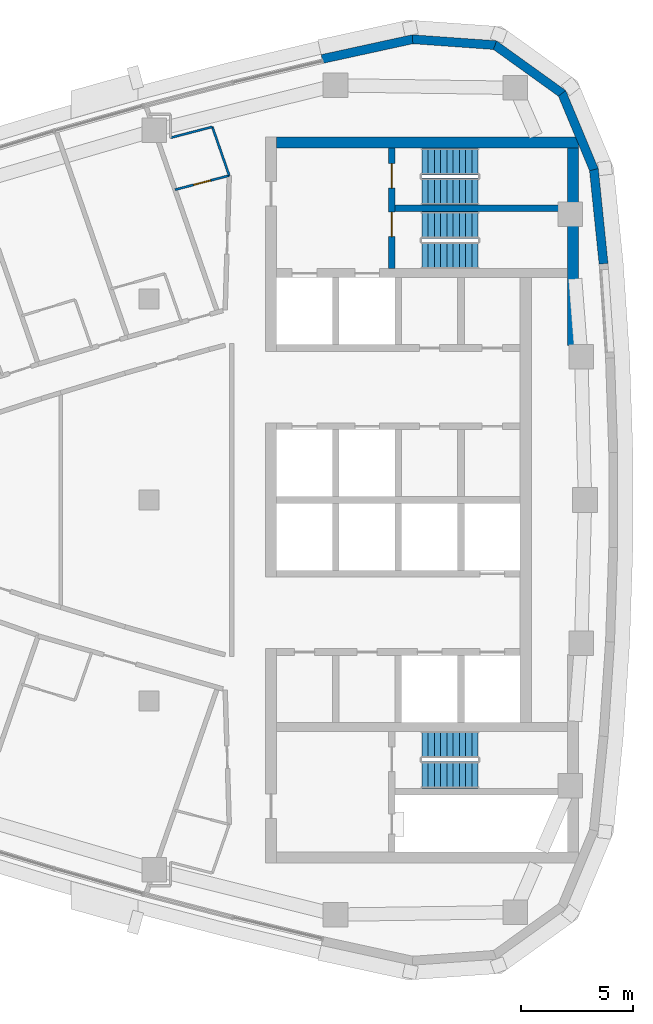
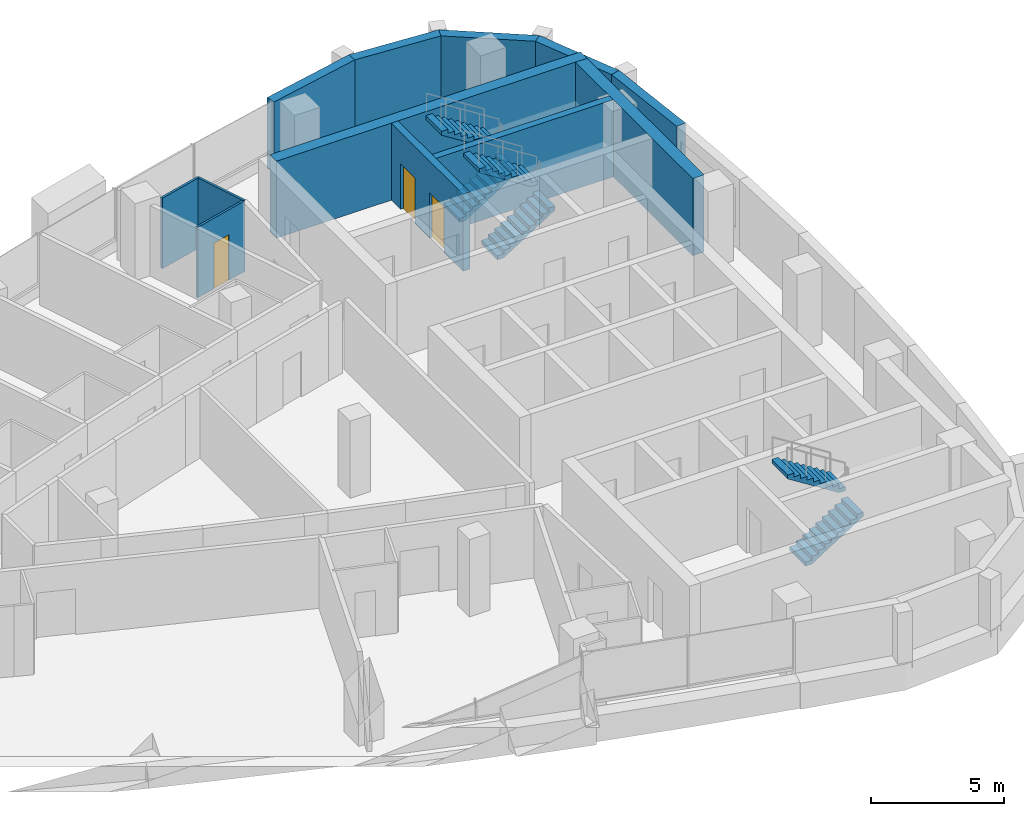
# One storey, part 10 of 14: 12 walls, 6 stair flights, 3 doors, 3 openings, 3 elements without a shape of their own.
"""IFC4 building model written with IfcOpenShell, lengths in metres."""

from ifc_helpers import new_model, si_unit, direction, frame, frame_2d, origin, place, context, subcontext, project, spatial, polyline, rectangle, outline, extrude, material, layer, layer_set, type_object, element, fill, aggregate, save


model = new_model("IFC4")

# Units and contexts
model_context = context("Model", 3, precision=1e-05, world=origin(), true_north=direction((0.0, 1.0)))
body_context = subcontext(model_context, "Body", "Model", "MODEL_VIEW")
ifc_project = project(units=[si_unit("LENGTHUNIT", "METRE"), si_unit("AREAUNIT", "SQUARE_METRE"), si_unit("VOLUMEUNIT", "CUBIC_METRE"), si_unit("PLANEANGLEUNIT", "RADIAN"), si_unit("MASSUNIT", "GRAM", prefix="KILO")], contexts=[model_context])

# Site, building, storey
site_placement = place(None, origin())
site = spatial("IfcSite", under=ifc_project, at=site_placement, CompositionType="ELEMENT")
building_placement = place(site_placement, origin())
building = spatial("IfcBuilding", under=site, at=building_placement, Name="Ostrand Prow Hotel Tower", CompositionType="ELEMENT")
storey_placement = place(building_placement, frame((0.0, 0.0, 285.64990234375)))
storey = spatial("IfcBuildingStorey", under=building, at=storey_placement, Name="L72", CompositionType="ELEMENT", Elevation=285.64990234375)

# Wall, openings, doors
ifc_material_1 = material(Name="Concrete C50/60", Category="concrete")
ifc_layer_1 = layer(ifc_material_1, 0.300048828125)
ifc_layer_set_1 = layer_set([ifc_layer_1], Name="Concrete C50/60")
wall_type_1 = type_object("IfcWallType", Name="Core wall 300 C50/60", PredefinedType="SHEAR", material=ifc_layer_set_1)
wall_1_placement = place(storey_placement, frame((55.85009765625, 10.35009765625, 0.0), z_axis=(0.0, 0.0, 1.0), x_axis=(0.0, 1.0, 0.0)))
wall_1 = element("IfcWall", 1, at=wall_1_placement, inside=storey, type_object=wall_type_1, Name="Core wall PW-VN", PredefinedType="SHEAR", context=body_context, shape_type="SweptSolid", body=[
    extrude(rectangle(XDim=5.39990234375, YDim=0.300048828125, at=frame_2d((2.699951171875, 0.0))), origin(), (0.0, 0.0, 1.0), 3.550048828125),
])
opening_1_placement = place(wall_1_placement, frame((1.429931640625, 0.0, 0.0)))
opening_1 = element("IfcOpeningElement", 2, at=opening_1_placement, cuts=wall_1, Name="Opening FD1", PredefinedType="OPENING", context=body_context, shape_type="SweptSolid", body=[
    extrude(rectangle(XDim=1.10009765625, YDim=2.10009765625, at=frame_2d((0.550048828125, 1.050048828125))), frame((0.0, 0.159912109375, 0.0), z_axis=(0.0, -1.0, 0.0), x_axis=(1.0, 0.0, 0.0)), (0.0, 0.0, 1.0), 0.320068359375),
])
opening_2_placement = place(wall_1_placement, frame((3.60009765625, 0.0, 0.0)))
opening_2 = element("IfcOpeningElement", 3, at=opening_2_placement, cuts=wall_1, Name="Opening FD1", PredefinedType="OPENING", context=body_context, shape_type="SweptSolid", body=[
    extrude(rectangle(XDim=1.10009765625, YDim=2.10009765625, at=frame_2d((0.550048828125, 1.050048828125))), frame((0.0, 0.159912109375, 0.0), z_axis=(0.0, -1.0, 0.0), x_axis=(1.0, 0.0, 0.0)), (0.0, 0.0, 1.0), 0.320068359375),
])
ifc_material_2 = material(Name="Steel fire door", Category="steel")
door_type_1 = type_object("IfcDoorType", Name="Fire door 1100 EI120", OperationType="SINGLE_SWING_RIGHT", PredefinedType="DOOR", material=ifc_material_2)
door_1_placement = place(opening_1_placement, origin())
door_1 = element("IfcDoor", 4, at=door_1_placement, inside=storey, type_object=door_type_1, Name="FIRE DOOR", OperationType="SINGLE_SWING_RIGHT", OverallHeight=2.10009765625, OverallWidth=1.10009765625, PredefinedType="DOOR", context=body_context, shape_type="SweptSolid", body=[
    extrude(rectangle(XDim=1.10009765625, YDim=2.10009765625, at=frame_2d((0.550048828125, 1.050048828125))), frame((0.0, 0.02490234375, 0.0), z_axis=(0.0, -1.0, 0.0), x_axis=(1.0, 0.0, 0.0)), (0.0, 0.0, 1.0), 0.050048828125),
])
fill(opening_1, door_1)
door_2_placement = place(opening_2_placement, origin())
door_2 = element("IfcDoor", 5, at=door_2_placement, inside=storey, type_object=door_type_1, Name="FIRE DOOR", OperationType="SINGLE_SWING_RIGHT", OverallHeight=2.10009765625, OverallWidth=1.10009765625, PredefinedType="DOOR", context=body_context, shape_type="SweptSolid", body=[
    extrude(rectangle(XDim=1.10009765625, YDim=2.10009765625, at=frame_2d((0.550048828125, 1.050048828125))), frame((0.0, 0.02490234375, 0.0), z_axis=(0.0, -1.0, 0.0), x_axis=(1.0, 0.0, 0.0)), (0.0, 0.0, 1.0), 0.050048828125),
])
fill(opening_2, door_2)

# Walls
wall_2_placement = place(storey_placement, frame((56.0, 13.050048828125, 0.0), z_axis=(0.0, 0.0, 1.0), x_axis=(1.0, 0.0, 0.0)))
element("IfcWall", 6, at=wall_2_placement, inside=storey, type_object=wall_type_1, Name="Core wall PW-ST13", PredefinedType="SHEAR", context=body_context, shape_type="SweptSolid", body=[
    extrude(rectangle(XDim=7.719970703125, YDim=0.300048828125, at=frame_2d((3.85986328125, 0.0))), origin(), (0.0, 0.0, 1.0), 3.550048828125),
])
ifc_material_3 = material(Name="Concrete C50/60", Category="concrete")
ifc_layer_2 = layer(ifc_material_3, 0.5)
ifc_layer_set_2 = layer_set([ifc_layer_2], Name="Concrete C50/60")
wall_type_2 = type_object("IfcWallType", Name="Core wall 500 C50/60", PredefinedType="SHEAR", material=ifc_layer_set_2)
wall_3_placement = place(storey_placement, frame((50.699951171875, 16.0, 0.0), z_axis=(0.0, 0.0, 1.0), x_axis=(1.0, 0.0, 0.0)))
element("IfcWall", 7, at=wall_3_placement, inside=storey, type_object=wall_type_2, Name="Core wall CW-N", PredefinedType="SHEAR", context=body_context, shape_type="SweptSolid", body=[
    extrude(rectangle(XDim=13.52001953125, YDim=0.5, at=frame_2d((6.760009765625, 0.0))), origin(), (0.0, 0.0, 1.0), 3.550048828125),
])
wall_4_placement = place(storey_placement, frame((63.969970703125, 6.9033203125, 0.0), z_axis=(0.0, 0.0, 1.0), x_axis=(0.0, 1.0, 0.0)))
element("IfcWall", 8, at=wall_4_placement, inside=storey, type_object=wall_type_2, Name="Core wall CW-E-N", PredefinedType="SHEAR", context=body_context, shape_type="SweptSolid", body=[
    extrude(rectangle(XDim=8.8466796875, YDim=0.5, at=frame_2d((4.42333984375, 0.0))), origin(), (0.0, 0.0, 1.0), 3.550048828125),
])

# Wall, opening, door
ifc_material_4 = material(Name="Plasterboard partition")
ifc_layer_3 = layer(ifc_material_4, 0.10009765625)
ifc_layer_set_3 = layer_set([ifc_layer_3], Name="Plasterboard partition")
wall_type_3 = type_object("IfcWallType", Name="Partition 100 bathroom wall", PredefinedType="PARTITIONING", material=ifc_layer_set_3)
wall_5_placement = place(storey_placement, frame((48.58251953125, 14.515625, 0.0), z_axis=(0.0, 0.0, 1.0), x_axis=(-0.967665843663, -0.252235633897, 0.0)))
wall_5 = element("IfcWall", 9, at=wall_5_placement, inside=storey, type_object=wall_type_3, Name="BATHROOM WALL", PredefinedType="PARTITIONING", context=body_context, shape_type="SweptSolid", body=[
    extrude(rectangle(XDim=2.5078125, YDim=0.10009765625, at=frame_2d((1.25390625, 0.0))), origin(), (0.0, 0.0, 1.0), 3.25),
])
opening_3_placement = place(wall_5_placement, frame((0.85009765625, 0.0, 0.0)))
opening_3 = element("IfcOpeningElement", 10, at=opening_3_placement, cuts=wall_5, Name="Opening D2", PredefinedType="OPENING", context=body_context, shape_type="SweptSolid", body=[
    extrude(rectangle(XDim=0.800048828125, YDim=2.10009765625, at=frame_2d((0.39990234375, 1.050048828125))), frame((0.0, 0.06005859375, 0.0), z_axis=(0.0, -1.0, 0.0), x_axis=(1.0, 0.0, 0.0)), (0.0, 0.0, 1.0), 0.1201171875),
])
ifc_material_5 = material(Name="Timber door leaf", Category="wood")
door_type_2 = type_object("IfcDoorType", Name="Bathroom door 800", OperationType="SINGLE_SWING_LEFT", PredefinedType="DOOR", material=ifc_material_5)
door_3_placement = place(opening_3_placement, origin())
door_3 = element("IfcDoor", 11, at=door_3_placement, inside=storey, type_object=door_type_2, Name="DOOR", OperationType="SINGLE_SWING_LEFT", OverallHeight=2.10009765625, OverallWidth=0.800048828125, PredefinedType="DOOR", context=body_context, shape_type="SweptSolid", body=[
    extrude(rectangle(XDim=0.800048828125, YDim=2.10009765625, at=frame_2d((0.39990234375, 1.050048828125))), frame((0.0, 0.02490234375, 0.0), z_axis=(0.0, -1.0, 0.0), x_axis=(1.0, 0.0, 0.0)), (0.0, 0.0, 1.0), 0.050048828125),
])
fill(opening_3, door_3)

# Walls
wall_6_placement = place(storey_placement, frame((45.95458984375, 16.20751953125, 0.0), z_axis=(0.0, 0.0, 1.0), x_axis=(0.967650770907, 0.25229345129, 0.0)))
element("IfcWall", 12, at=wall_6_placement, inside=storey, type_object=wall_type_3, Name="BATHROOM WALL", PredefinedType="PARTITIONING", context=body_context, shape_type="SweptSolid", body=[
    extrude(rectangle(XDim=1.934326171875, YDim=0.10009765625, at=frame_2d((0.96728515625, 0.0))), origin(), (0.0, 0.0, 1.0), 3.25),
])
wall_7_placement = place(storey_placement, frame((47.826416015625, 16.695556640625, 0.0), z_axis=(0.0, 0.0, 1.0), x_axis=(0.327695604762, -0.944783356447, 0.0)))
element("IfcWall", 13, at=wall_7_placement, inside=storey, type_object=wall_type_3, Name="BATHROOM WALL", PredefinedType="PARTITIONING", context=body_context, shape_type="SweptSolid", body=[
    extrude(rectangle(XDim=2.307373046875, YDim=0.10009765625, at=frame_2d((1.15380859375, 0.0))), origin(), (0.0, 0.0, 1.0), 3.25),
])
ifc_material_6 = material(Name="Precast concrete C40/50", Category="concrete")
ifc_layer_4 = layer(ifc_material_6, 0.39990234375)
ifc_layer_set_4 = layer_set([ifc_layer_4], Name="Precast concrete C40/50")
wall_type_4 = type_object("IfcWallType", Name="Stone-faced precast wall 400 mm", PredefinedType="NOTDEFINED", material=ifc_layer_set_4)
wall_8_placement = place(storey_placement, frame((65.3310546875, 10.5712890625, 0.0), z_axis=(0.0, 0.0, 1.0), x_axis=(-0.102249826987, 0.994758751096, 0.0)))
element("IfcWall", 14, at=wall_8_placement, inside=storey, type_object=wall_type_4, Name="Stone-faced wall back 11", PredefinedType="NOTDEFINED", context=body_context, shape_type="SweptSolid", body=[
    extrude(outline(polyline([(-0.00341796875, -0.199951171875), (4.262939453125, -0.199951171875), (4.203857421875, 0.199951171875), (0.00341796875, 0.199951171875), (-0.00341796875, -0.199951171875)])), origin(), (0.0, 0.0, 1.0), 3.25),
])
wall_9_placement = place(storey_placement, frame((64.898193359375, 14.782470703125, 0.0), z_axis=(0.0, 0.0, 1.0), x_axis=(-0.385285857918, 0.922797273343, 0.0)))
element("IfcWall", 15, at=wall_9_placement, inside=storey, type_object=wall_type_4, Name="Stone-faced wall back 12", PredefinedType="NOTDEFINED", context=body_context, shape_type="SweptSolid", body=[
    extrude(outline(polyline([(-0.029541015625, -0.199951171875), (3.75341796875, -0.199951171875), (3.64013671875, 0.199951171875), (0.029541015625, 0.199951171875), (-0.029541015625, -0.199951171875)])), origin(), (0.0, 0.0, 1.0), 3.25),
])
wall_10_placement = place(storey_placement, frame((63.473876953125, 18.19384765625, 0.0), z_axis=(0.0, 0.0, 1.0), x_axis=(-0.811962548682, 0.583709533533, 0.0)))
element("IfcWall", 16, at=wall_10_placement, inside=storey, type_object=wall_type_4, Name="Stone-faced wall back 13", PredefinedType="NOTDEFINED", context=body_context, shape_type="SweptSolid", body=[
    extrude(outline(polyline([(-0.056640625, -0.199951171875), (3.753173828125, -0.199951171875), (3.639892578125, 0.199951171875), (0.056640625, 0.199951171875), (-0.056640625, -0.199951171875)])), origin(), (0.0, 0.0, 1.0), 3.25),
])
wall_11_placement = place(storey_placement, frame((60.472412109375, 20.3515625, 0.0), z_axis=(0.0, 0.0, 1.0), x_axis=(-0.99746272096, 0.071190731806, 0.0)))
element("IfcWall", 17, at=wall_11_placement, inside=storey, type_object=wall_type_4, Name="Stone-faced wall back 14", PredefinedType="NOTDEFINED", context=body_context, shape_type="SweptSolid", body=[
    extrude(outline(polyline([(-0.056640625, -0.199951171875), (3.7255859375, -0.199951171875), (3.66796875, 0.199951171875), (0.056640625, 0.199951171875), (-0.056640625, -0.199951171875)])), origin(), (0.0, 0.0, 1.0), 3.25),
])
wall_12_placement = place(storey_placement, frame((56.784912109375, 20.61474609375, 0.0), z_axis=(0.0, 0.0, 1.0), x_axis=(-0.977020225348, -0.213146614471, 0.0)))
element("IfcWall", 18, at=wall_12_placement, inside=storey, type_object=wall_type_4, Name="Stone-faced wall back 15", PredefinedType="NOTDEFINED", context=body_context, shape_type="SweptSolid", body=[
    extrude(outline(polyline([(-0.02880859375, -0.199951171875), (4.141845703125, -0.199951171875), (4.141845703125, 0.199951171875), (0.02880859375, 0.199951171875), (-0.02880859375, -0.199951171875)])), origin(), (0.0, 0.0, 1.0), 3.25),
])

# Stair, stair flights
ifc_material_7 = material(Name="Concrete C40/50", Category="concrete")
stair_type = type_object("IfcStairType", Name="Exit stair 1200 upper zone", PredefinedType="HALF_TURN_STAIR", material=ifc_material_7)
stair_1_placement = place(storey_placement, origin())
stair_1 = element("IfcStair", 19, at=stair_1_placement, inside=storey, type_object=stair_type, Name="L72 ST1C", PredefinedType="HALF_TURN_STAIR")
ifc_material_8 = material(Name="Concrete C40/50", Category="concrete")
stair_flight_type = type_object("IfcStairFlightType", Name="Stair flight 1200 concrete", PredefinedType="STRAIGHT", material=ifc_material_8)
stair_flight_1_placement = place(storey_placement, frame((57.199951171875, 10.949951171875, 0.0), z_axis=(0.0, 0.0, 1.0), x_axis=(1.0, 0.0, 0.0)))
stair_flight_1 = element("IfcStairFlight", 20, at=stair_flight_1_placement, type_object=stair_flight_type, Name="ST1C flight 1", NumberOfRisers=10, NumberOfTreads=9, PredefinedType="STRAIGHT", RiserHeight=0.1775, TreadLength=0.28, context=body_context, shape_type="SweptSolid", body=[
    extrude(outline(polyline([(0.0, 0.0), (0.0, 0.177490234375), (0.280029296875, 0.177490234375), (0.280029296875, 0.35498046875), (0.56005859375, 0.35498046875), (0.56005859375, 0.532470703125), (0.840087890625, 0.532470703125), (0.840087890625, 0.7099609375), (1.1201171875, 0.7099609375), (1.1201171875, 0.887451171875), (1.39990234375, 0.887451171875), (1.39990234375, 1.06494140625), (1.679931640625, 1.06494140625), (1.679931640625, 1.242431640625), (1.9599609375, 1.242431640625), (1.9599609375, 1.419921875), (2.239990234375, 1.419921875), (2.239990234375, 1.597412109375), (2.52001953125, 1.597412109375), (2.52001953125, 1.77490234375), (2.52001953125, 1.419921875), (0.280029296875, 0.0), (0.0, 0.0)])), frame((0.0, 0.60009765625, 0.0), z_axis=(0.0, -1.0, 0.0), x_axis=(1.0, 0.0, 0.0)), (0.0, 0.0, 1.0), 1.199951171875),
])
stair_flight_2_placement = place(storey_placement, frame((59.719970703125, 12.300048828125, 1.775146484375), z_axis=(0.0, 0.0, 1.0), x_axis=(-1.0, 0.0, 0.0)))
stair_flight_2 = element("IfcStairFlight", 21, at=stair_flight_2_placement, type_object=stair_flight_type, Name="ST1C flight 2", NumberOfRisers=10, NumberOfTreads=9, PredefinedType="STRAIGHT", RiserHeight=0.1775, TreadLength=0.28, context=body_context, shape_type="SweptSolid", body=[
    extrude(outline(polyline([(0.0, 0.0), (0.0, 0.177490234375), (0.280029296875, 0.177490234375), (0.280029296875, 0.35498046875), (0.56005859375, 0.35498046875), (0.56005859375, 0.532470703125), (0.840087890625, 0.532470703125), (0.840087890625, 0.7099609375), (1.1201171875, 0.7099609375), (1.1201171875, 0.887451171875), (1.39990234375, 0.887451171875), (1.39990234375, 1.06494140625), (1.679931640625, 1.06494140625), (1.679931640625, 1.242431640625), (1.9599609375, 1.242431640625), (1.9599609375, 1.419921875), (2.239990234375, 1.419921875), (2.239990234375, 1.597412109375), (2.52001953125, 1.597412109375), (2.52001953125, 1.77490234375), (2.52001953125, 1.419921875), (0.280029296875, 0.0), (0.0, 0.0)])), frame((0.0, 0.60009765625, 0.0), z_axis=(0.0, -1.0, 0.0), x_axis=(1.0, 0.0, 0.0)), (0.0, 0.0, 1.0), 1.199951171875),
])
aggregate(stair_1, [stair_flight_1, stair_flight_2])

stair_2_placement = place(storey_placement, origin())
stair_2 = element("IfcStair", 22, at=stair_2_placement, inside=storey, type_object=stair_type, Name="L72 ST3C", PredefinedType="HALF_TURN_STAIR")
stair_flight_3_placement = place(storey_placement, frame((57.199951171875, 13.800048828125, 0.0), z_axis=(0.0, 0.0, 1.0), x_axis=(1.0, 0.0, 0.0)))
stair_flight_3 = element("IfcStairFlight", 23, at=stair_flight_3_placement, type_object=stair_flight_type, Name="ST3C flight 1", NumberOfRisers=10, NumberOfTreads=9, PredefinedType="STRAIGHT", RiserHeight=0.1775, TreadLength=0.28, context=body_context, shape_type="SweptSolid", body=[
    extrude(outline(polyline([(0.0, 0.0), (0.0, 0.177490234375), (0.280029296875, 0.177490234375), (0.280029296875, 0.35498046875), (0.56005859375, 0.35498046875), (0.56005859375, 0.532470703125), (0.840087890625, 0.532470703125), (0.840087890625, 0.7099609375), (1.1201171875, 0.7099609375), (1.1201171875, 0.887451171875), (1.39990234375, 0.887451171875), (1.39990234375, 1.06494140625), (1.679931640625, 1.06494140625), (1.679931640625, 1.242431640625), (1.9599609375, 1.242431640625), (1.9599609375, 1.419921875), (2.239990234375, 1.419921875), (2.239990234375, 1.597412109375), (2.52001953125, 1.597412109375), (2.52001953125, 1.77490234375), (2.52001953125, 1.419921875), (0.280029296875, 0.0), (0.0, 0.0)])), frame((0.0, 0.60009765625, 0.0), z_axis=(0.0, -1.0, 0.0), x_axis=(1.0, 0.0, 0.0)), (0.0, 0.0, 1.0), 1.199951171875),
])
stair_flight_4_placement = place(storey_placement, frame((59.719970703125, 15.14990234375, 1.775146484375), z_axis=(0.0, 0.0, 1.0), x_axis=(-1.0, 0.0, 0.0)))
stair_flight_4 = element("IfcStairFlight", 24, at=stair_flight_4_placement, type_object=stair_flight_type, Name="ST3C flight 2", NumberOfRisers=10, NumberOfTreads=9, PredefinedType="STRAIGHT", RiserHeight=0.1775, TreadLength=0.28, context=body_context, shape_type="SweptSolid", body=[
    extrude(outline(polyline([(0.0, 0.0), (0.0, 0.177490234375), (0.280029296875, 0.177490234375), (0.280029296875, 0.35498046875), (0.56005859375, 0.35498046875), (0.56005859375, 0.532470703125), (0.840087890625, 0.532470703125), (0.840087890625, 0.7099609375), (1.1201171875, 0.7099609375), (1.1201171875, 0.887451171875), (1.39990234375, 0.887451171875), (1.39990234375, 1.06494140625), (1.679931640625, 1.06494140625), (1.679931640625, 1.242431640625), (1.9599609375, 1.242431640625), (1.9599609375, 1.419921875), (2.239990234375, 1.419921875), (2.239990234375, 1.597412109375), (2.52001953125, 1.597412109375), (2.52001953125, 1.77490234375), (2.52001953125, 1.419921875), (0.280029296875, 0.0), (0.0, 0.0)])), frame((0.0, 0.60009765625, 0.0), z_axis=(0.0, -1.0, 0.0), x_axis=(1.0, 0.0, 0.0)), (0.0, 0.0, 1.0), 1.199951171875),
])
aggregate(stair_2, [stair_flight_3, stair_flight_4])

stair_3_placement = place(storey_placement, origin())
stair_3 = element("IfcStair", 25, at=stair_3_placement, inside=storey, type_object=stair_type, Name="L72 ST2C", PredefinedType="HALF_TURN_STAIR")
stair_flight_5_placement = place(storey_placement, frame((57.199951171875, -12.300048828125, 0.0), z_axis=(0.0, 0.0, 1.0), x_axis=(1.0, 0.0, 0.0)))
stair_flight_5 = element("IfcStairFlight", 26, at=stair_flight_5_placement, type_object=stair_flight_type, Name="ST2C flight 1", NumberOfRisers=10, NumberOfTreads=9, PredefinedType="STRAIGHT", RiserHeight=0.1775, TreadLength=0.28, context=body_context, shape_type="SweptSolid", body=[
    extrude(outline(polyline([(0.0, 0.0), (0.0, 0.177490234375), (0.280029296875, 0.177490234375), (0.280029296875, 0.35498046875), (0.56005859375, 0.35498046875), (0.56005859375, 0.532470703125), (0.840087890625, 0.532470703125), (0.840087890625, 0.7099609375), (1.1201171875, 0.7099609375), (1.1201171875, 0.887451171875), (1.39990234375, 0.887451171875), (1.39990234375, 1.06494140625), (1.679931640625, 1.06494140625), (1.679931640625, 1.242431640625), (1.9599609375, 1.242431640625), (1.9599609375, 1.419921875), (2.239990234375, 1.419921875), (2.239990234375, 1.597412109375), (2.52001953125, 1.597412109375), (2.52001953125, 1.77490234375), (2.52001953125, 1.419921875), (0.280029296875, 0.0), (0.0, 0.0)])), frame((0.0, 0.60009765625, 0.0), z_axis=(0.0, -1.0, 0.0), x_axis=(1.0, 0.0, 0.0)), (0.0, 0.0, 1.0), 1.199951171875),
])
stair_flight_6_placement = place(storey_placement, frame((59.719970703125, -10.949951171875, 1.775146484375), z_axis=(0.0, 0.0, 1.0), x_axis=(-1.0, 0.0, 0.0)))
stair_flight_6 = element("IfcStairFlight", 27, at=stair_flight_6_placement, type_object=stair_flight_type, Name="ST2C flight 2", NumberOfRisers=10, NumberOfTreads=9, PredefinedType="STRAIGHT", RiserHeight=0.1775, TreadLength=0.28, context=body_context, shape_type="SweptSolid", body=[
    extrude(outline(polyline([(0.0, 0.0), (0.0, 0.177490234375), (0.280029296875, 0.177490234375), (0.280029296875, 0.35498046875), (0.56005859375, 0.35498046875), (0.56005859375, 0.532470703125), (0.840087890625, 0.532470703125), (0.840087890625, 0.7099609375), (1.1201171875, 0.7099609375), (1.1201171875, 0.887451171875), (1.39990234375, 0.887451171875), (1.39990234375, 1.06494140625), (1.679931640625, 1.06494140625), (1.679931640625, 1.242431640625), (1.9599609375, 1.242431640625), (1.9599609375, 1.419921875), (2.239990234375, 1.419921875), (2.239990234375, 1.597412109375), (2.52001953125, 1.597412109375), (2.52001953125, 1.77490234375), (2.52001953125, 1.419921875), (0.280029296875, 0.0), (0.0, 0.0)])), frame((0.0, 0.60009765625, 0.0), z_axis=(0.0, -1.0, 0.0), x_axis=(1.0, 0.0, 0.0)), (0.0, 0.0, 1.0), 1.199951171875),
])
aggregate(stair_3, [stair_flight_5, stair_flight_6])

save(model, "model.ifc")
